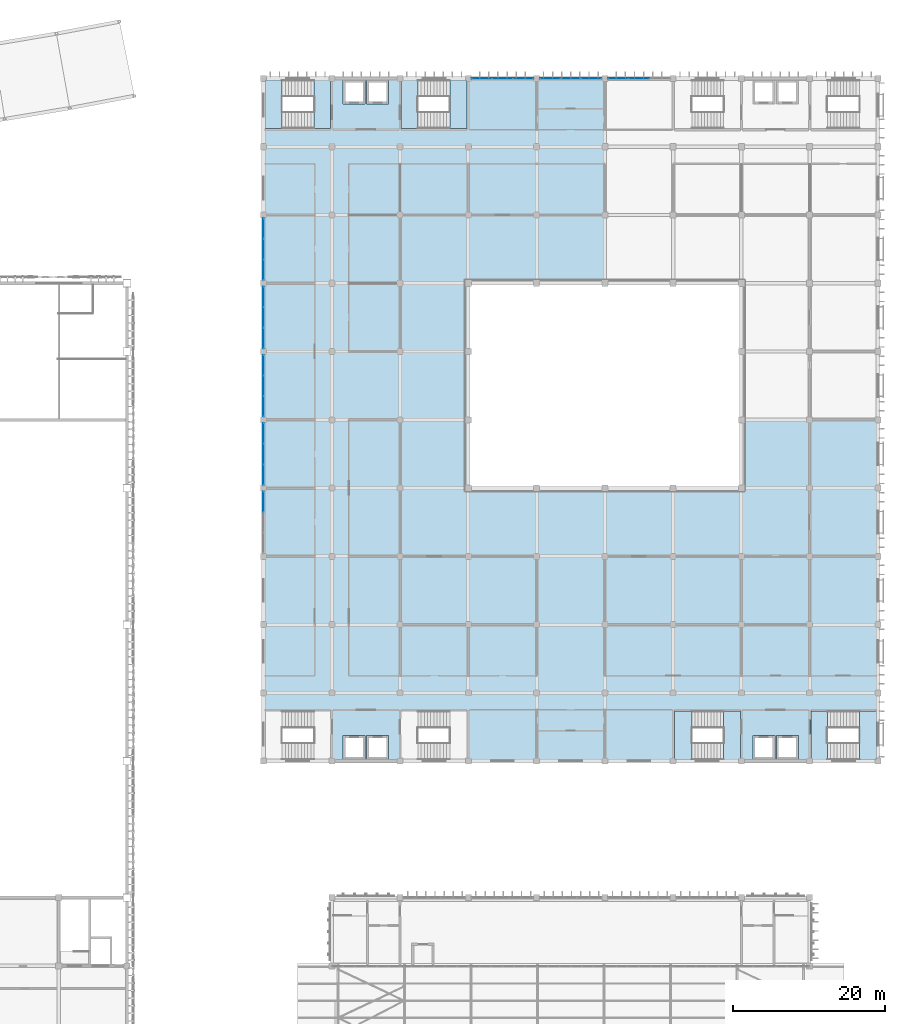
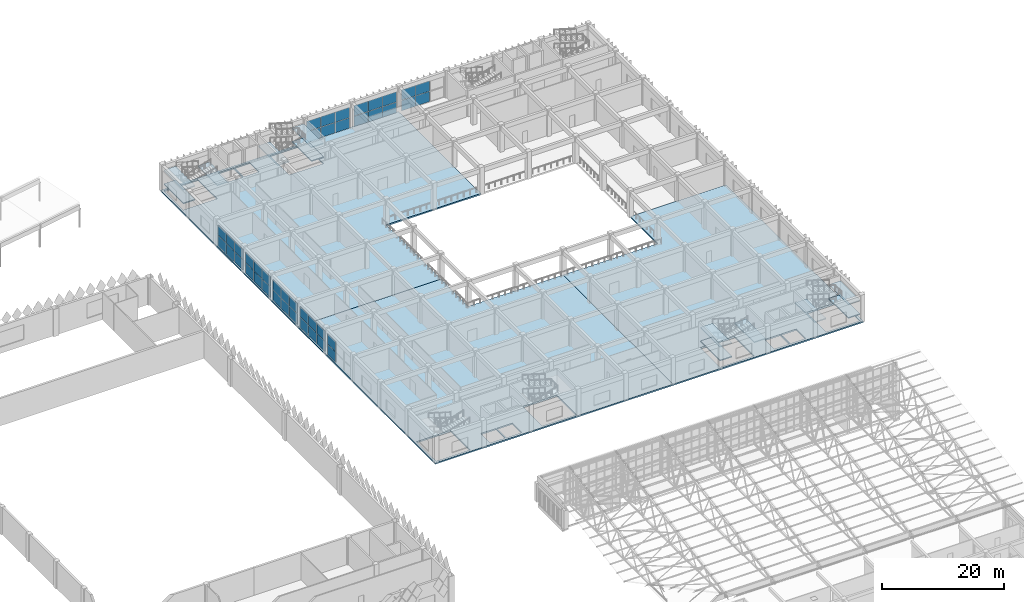
# One storey, part 97 of 185: 42 plates, 15 slabs, 12 elements without a shape of their own.
"""IFC4 building model written with IfcOpenShell, lengths in metres."""

from ifc_helpers import new_model, si_unit, direction, frame, origin, origin_2d, place, context, subcontext, project, spatial, polyline, rectangle, outline, extrude, material, layer, layer_set, type_object, element, aggregate, save


model = new_model("IFC4")

# Units and contexts
model_context = context("Model", 3, precision=1e-05, world=origin(), true_north=direction((0.0, 1.0)))
body_context = subcontext(model_context, "Body", "Model", "MODEL_VIEW")
ifc_project = project(units=[si_unit("LENGTHUNIT", "METRE"), si_unit("AREAUNIT", "SQUARE_METRE"), si_unit("VOLUMEUNIT", "CUBIC_METRE"), si_unit("PLANEANGLEUNIT", "RADIAN"), si_unit("MASSUNIT", "GRAM", prefix="KILO")], contexts=[model_context])

# Site, building, storey
site_placement = place(None, origin())
site = spatial("IfcSite", under=ifc_project, at=site_placement, CompositionType="ELEMENT")
building_placement = place(site_placement, origin())
building = spatial("IfcBuilding", under=site, at=building_placement, Name="Opaline Strait Convention Centre", CompositionType="ELEMENT")
storey_placement = place(building_placement, frame((0.0, 0.0, 6.0)))
storey = spatial("IfcBuildingStorey", under=building, at=storey_placement, Name="L01", CompositionType="ELEMENT", Elevation=6.0)

# Curtain wall, plates
ifc_material_1 = material(Name="Aluminium framed double glazing", Category="aluminium")
ifc_layer_1 = layer(ifc_material_1, 0.199951171875)
ifc_layer_set_1 = layer_set([ifc_layer_1], Name="Aluminium framed double glazing")
curtain_wall_type = type_object("IfcCurtainWallType", Name="Curtain wall 3000 module unitised", PredefinedType="NOTDEFINED", material=ifc_layer_set_1)
curtain_wall_1_placement = place(storey_placement, origin())
curtain_wall_1 = element("IfcCurtainWall", 1, at=curtain_wall_1_placement, inside=storey, type_object=curtain_wall_type, Name="Curtain wall N L01 35/W", PredefinedType="NOTDEFINED")
ifc_material_2 = material(Name="Double glazed unit low emissivity", Category="glass")
ifc_layer_2 = layer(ifc_material_2, 0.028076171875)
ifc_layer_set_2 = layer_set([ifc_layer_2], Name="Double glazed unit low emissivity")
plate_type = type_object("IfcPlateType", Name="Curtain wall glass panel 28", PredefinedType="CURTAIN_PANEL", material=ifc_layer_set_2)
plate_1_placement = place(storey_placement, frame((307.781494140625, 180.0, 0.06005859375), z_axis=(0.0, 0.0, 1.0), x_axis=(1.0, 0.0, 0.0)))
plate_1 = element("IfcPlate", 2, at=plate_1_placement, type_object=plate_type, Name="MCWR1 panel 1.1", PredefinedType="CURTAIN_PANEL", context=body_context, shape_type="SweptSolid", body=[
    extrude(rectangle(XDim=2.643310546875, YDim=0.028076171875, at=origin_2d()), origin(), (0.0, 0.0, 1.0), 2.070068359375),
])
plate_2_placement = place(storey_placement, frame((307.781494140625, 180.0, 2.18994140625), z_axis=(0.0, 0.0, 1.0), x_axis=(1.0, 0.0, 0.0)))
plate_2 = element("IfcPlate", 3, at=plate_2_placement, type_object=plate_type, Name="MCWR1 panel 1.2", PredefinedType="CURTAIN_PANEL", context=body_context, shape_type="SweptSolid", body=[
    extrude(rectangle(XDim=2.643310546875, YDim=0.028076171875, at=origin_2d()), origin(), (0.0, 0.0, 1.0), 2.070068359375),
])
plate_3_placement = place(storey_placement, frame((310.5, 180.0, 0.06005859375), z_axis=(0.0, 0.0, 1.0), x_axis=(1.0, 0.0, 0.0)))
plate_3 = element("IfcPlate", 4, at=plate_3_placement, type_object=plate_type, Name="MCWR1 panel 2.1", PredefinedType="CURTAIN_PANEL", context=body_context, shape_type="SweptSolid", body=[
    extrude(rectangle(XDim=2.67333984375, YDim=0.028076171875, at=origin_2d()), origin(), (0.0, 0.0, 1.0), 2.070068359375),
])
plate_4_placement = place(storey_placement, frame((310.5, 180.0, 2.18994140625), z_axis=(0.0, 0.0, 1.0), x_axis=(1.0, 0.0, 0.0)))
plate_4 = element("IfcPlate", 5, at=plate_4_placement, type_object=plate_type, Name="MCWR1 panel 2.2", PredefinedType="CURTAIN_PANEL", context=body_context, shape_type="SweptSolid", body=[
    extrude(rectangle(XDim=2.67333984375, YDim=0.028076171875, at=origin_2d()), origin(), (0.0, 0.0, 1.0), 2.070068359375),
])
plate_5_placement = place(storey_placement, frame((313.218505859375, 180.0, 0.06005859375), z_axis=(0.0, 0.0, 1.0), x_axis=(1.0, 0.0, 0.0)))
plate_5 = element("IfcPlate", 6, at=plate_5_placement, type_object=plate_type, Name="MCWR1 panel 3.1", PredefinedType="CURTAIN_PANEL", context=body_context, shape_type="SweptSolid", body=[
    extrude(rectangle(XDim=2.643310546875, YDim=0.028076171875, at=origin_2d()), origin(), (0.0, 0.0, 1.0), 2.070068359375),
])
plate_6_placement = place(storey_placement, frame((313.218505859375, 180.0, 2.18994140625), z_axis=(0.0, 0.0, 1.0), x_axis=(1.0, 0.0, 0.0)))
plate_6 = element("IfcPlate", 7, at=plate_6_placement, type_object=plate_type, Name="MCWR1 panel 3.2", PredefinedType="CURTAIN_PANEL", context=body_context, shape_type="SweptSolid", body=[
    extrude(rectangle(XDim=2.643310546875, YDim=0.028076171875, at=origin_2d()), origin(), (0.0, 0.0, 1.0), 2.070068359375),
])
aggregate(curtain_wall_1, [plate_1, plate_2, plate_3, plate_4, plate_5, plate_6])

curtain_wall_2_placement = place(storey_placement, origin())
curtain_wall_2 = element("IfcCurtainWall", 8, at=curtain_wall_2_placement, inside=storey, type_object=curtain_wall_type, Name="Curtain wall N L01 36/W", PredefinedType="NOTDEFINED")
plate_7_placement = place(storey_placement, frame((316.781494140625, 180.0, 0.06005859375), z_axis=(0.0, 0.0, 1.0), x_axis=(1.0, 0.0, 0.0)))
plate_7 = element("IfcPlate", 9, at=plate_7_placement, type_object=plate_type, Name="MCWR1 panel 1.1", PredefinedType="CURTAIN_PANEL", context=body_context, shape_type="SweptSolid", body=[
    extrude(rectangle(XDim=2.643310546875, YDim=0.028076171875, at=origin_2d()), origin(), (0.0, 0.0, 1.0), 2.070068359375),
])
plate_8_placement = place(storey_placement, frame((316.781494140625, 180.0, 2.18994140625), z_axis=(0.0, 0.0, 1.0), x_axis=(1.0, 0.0, 0.0)))
plate_8 = element("IfcPlate", 10, at=plate_8_placement, type_object=plate_type, Name="MCWR1 panel 1.2", PredefinedType="CURTAIN_PANEL", context=body_context, shape_type="SweptSolid", body=[
    extrude(rectangle(XDim=2.643310546875, YDim=0.028076171875, at=origin_2d()), origin(), (0.0, 0.0, 1.0), 2.070068359375),
])
plate_9_placement = place(storey_placement, frame((319.5, 180.0, 0.06005859375), z_axis=(0.0, 0.0, 1.0), x_axis=(1.0, 0.0, 0.0)))
plate_9 = element("IfcPlate", 11, at=plate_9_placement, type_object=plate_type, Name="MCWR1 panel 2.1", PredefinedType="CURTAIN_PANEL", context=body_context, shape_type="SweptSolid", body=[
    extrude(rectangle(XDim=2.67333984375, YDim=0.028076171875, at=origin_2d()), origin(), (0.0, 0.0, 1.0), 2.070068359375),
])
plate_10_placement = place(storey_placement, frame((319.5, 180.0, 2.18994140625), z_axis=(0.0, 0.0, 1.0), x_axis=(1.0, 0.0, 0.0)))
plate_10 = element("IfcPlate", 12, at=plate_10_placement, type_object=plate_type, Name="MCWR1 panel 2.2", PredefinedType="CURTAIN_PANEL", context=body_context, shape_type="SweptSolid", body=[
    extrude(rectangle(XDim=2.67333984375, YDim=0.028076171875, at=origin_2d()), origin(), (0.0, 0.0, 1.0), 2.070068359375),
])
plate_11_placement = place(storey_placement, frame((322.218505859375, 180.0, 0.06005859375), z_axis=(0.0, 0.0, 1.0), x_axis=(1.0, 0.0, 0.0)))
plate_11 = element("IfcPlate", 13, at=plate_11_placement, type_object=plate_type, Name="MCWR1 panel 3.1", PredefinedType="CURTAIN_PANEL", context=body_context, shape_type="SweptSolid", body=[
    extrude(rectangle(XDim=2.643310546875, YDim=0.028076171875, at=origin_2d()), origin(), (0.0, 0.0, 1.0), 2.070068359375),
])
plate_12_placement = place(storey_placement, frame((322.218505859375, 180.0, 2.18994140625), z_axis=(0.0, 0.0, 1.0), x_axis=(1.0, 0.0, 0.0)))
plate_12 = element("IfcPlate", 14, at=plate_12_placement, type_object=plate_type, Name="MCWR1 panel 3.2", PredefinedType="CURTAIN_PANEL", context=body_context, shape_type="SweptSolid", body=[
    extrude(rectangle(XDim=2.643310546875, YDim=0.028076171875, at=origin_2d()), origin(), (0.0, 0.0, 1.0), 2.070068359375),
])
aggregate(curtain_wall_2, [plate_7, plate_8, plate_9, plate_10, plate_11, plate_12])

curtain_wall_3_placement = place(storey_placement, origin())
curtain_wall_3 = element("IfcCurtainWall", 15, at=curtain_wall_3_placement, inside=storey, type_object=curtain_wall_type, Name="Curtain wall N L01 37/W", PredefinedType="NOTDEFINED")
plate_13_placement = place(storey_placement, frame((325.781494140625, 180.0, 0.06005859375), z_axis=(0.0, 0.0, 1.0), x_axis=(1.0, 0.0, 0.0)))
plate_13 = element("IfcPlate", 16, at=plate_13_placement, type_object=plate_type, Name="MCWR1 panel 1.1", PredefinedType="CURTAIN_PANEL", context=body_context, shape_type="SweptSolid", body=[
    extrude(rectangle(XDim=2.643310546875, YDim=0.028076171875, at=origin_2d()), origin(), (0.0, 0.0, 1.0), 2.070068359375),
])
plate_14_placement = place(storey_placement, frame((325.781494140625, 180.0, 2.18994140625), z_axis=(0.0, 0.0, 1.0), x_axis=(1.0, 0.0, 0.0)))
plate_14 = element("IfcPlate", 17, at=plate_14_placement, type_object=plate_type, Name="MCWR1 panel 1.2", PredefinedType="CURTAIN_PANEL", context=body_context, shape_type="SweptSolid", body=[
    extrude(rectangle(XDim=2.643310546875, YDim=0.028076171875, at=origin_2d()), origin(), (0.0, 0.0, 1.0), 2.070068359375),
])
plate_15_placement = place(storey_placement, frame((328.5, 180.0, 0.06005859375), z_axis=(0.0, 0.0, 1.0), x_axis=(1.0, 0.0, 0.0)))
plate_15 = element("IfcPlate", 18, at=plate_15_placement, type_object=plate_type, Name="MCWR1 panel 2.1", PredefinedType="CURTAIN_PANEL", context=body_context, shape_type="SweptSolid", body=[
    extrude(rectangle(XDim=2.67333984375, YDim=0.028076171875, at=origin_2d()), origin(), (0.0, 0.0, 1.0), 2.070068359375),
])
plate_16_placement = place(storey_placement, frame((328.5, 180.0, 2.18994140625), z_axis=(0.0, 0.0, 1.0), x_axis=(1.0, 0.0, 0.0)))
plate_16 = element("IfcPlate", 19, at=plate_16_placement, type_object=plate_type, Name="MCWR1 panel 2.2", PredefinedType="CURTAIN_PANEL", context=body_context, shape_type="SweptSolid", body=[
    extrude(rectangle(XDim=2.67333984375, YDim=0.028076171875, at=origin_2d()), origin(), (0.0, 0.0, 1.0), 2.070068359375),
])
aggregate(curtain_wall_3, [plate_13, plate_14, plate_15, plate_16])

curtain_wall_4_placement = place(storey_placement, origin())
curtain_wall_4 = element("IfcCurtainWall", 20, at=curtain_wall_4_placement, inside=storey, type_object=curtain_wall_type, Name="Curtain wall W L01 32/P", PredefinedType="NOTDEFINED")
plate_17_placement = place(storey_placement, frame((279.0, 124.218505859375, 0.06005859375), z_axis=(0.0, 0.0, 1.0), x_axis=(0.0, 1.0, 0.0)))
plate_17 = element("IfcPlate", 21, at=plate_17_placement, type_object=plate_type, Name="MCWR1 panel 3.1", PredefinedType="CURTAIN_PANEL", context=body_context, shape_type="SweptSolid", body=[
    extrude(rectangle(XDim=2.643310546875, YDim=0.028076171875, at=origin_2d()), origin(), (0.0, 0.0, 1.0), 2.070068359375),
])
plate_18_placement = place(storey_placement, frame((279.0, 124.218505859375, 2.18994140625), z_axis=(0.0, 0.0, 1.0), x_axis=(0.0, 1.0, 0.0)))
plate_18 = element("IfcPlate", 22, at=plate_18_placement, type_object=plate_type, Name="MCWR1 panel 3.2", PredefinedType="CURTAIN_PANEL", context=body_context, shape_type="SweptSolid", body=[
    extrude(rectangle(XDim=2.643310546875, YDim=0.028076171875, at=origin_2d()), origin(), (0.0, 0.0, 1.0), 2.070068359375),
])
aggregate(curtain_wall_4, [plate_17, plate_18])

curtain_wall_5_placement = place(storey_placement, origin())
curtain_wall_5 = element("IfcCurtainWall", 23, at=curtain_wall_5_placement, inside=storey, type_object=curtain_wall_type, Name="Curtain wall W L01 32/Q", PredefinedType="NOTDEFINED")
plate_19_placement = place(storey_placement, frame((279.0, 127.781494140625, 0.06005859375), z_axis=(0.0, 0.0, 1.0), x_axis=(0.0, 1.0, 0.0)))
plate_19 = element("IfcPlate", 24, at=plate_19_placement, type_object=plate_type, Name="MCWR1 panel 1.1", PredefinedType="CURTAIN_PANEL", context=body_context, shape_type="SweptSolid", body=[
    extrude(rectangle(XDim=2.643310546875, YDim=0.028076171875, at=origin_2d()), origin(), (0.0, 0.0, 1.0), 2.070068359375),
])
plate_20_placement = place(storey_placement, frame((279.0, 127.781494140625, 2.18994140625), z_axis=(0.0, 0.0, 1.0), x_axis=(0.0, 1.0, 0.0)))
plate_20 = element("IfcPlate", 25, at=plate_20_placement, type_object=plate_type, Name="MCWR1 panel 1.2", PredefinedType="CURTAIN_PANEL", context=body_context, shape_type="SweptSolid", body=[
    extrude(rectangle(XDim=2.643310546875, YDim=0.028076171875, at=origin_2d()), origin(), (0.0, 0.0, 1.0), 2.070068359375),
])
plate_21_placement = place(storey_placement, frame((279.0, 130.5, 0.06005859375), z_axis=(0.0, 0.0, 1.0), x_axis=(0.0, 1.0, 0.0)))
plate_21 = element("IfcPlate", 26, at=plate_21_placement, type_object=plate_type, Name="MCWR1 panel 2.1", PredefinedType="CURTAIN_PANEL", context=body_context, shape_type="SweptSolid", body=[
    extrude(rectangle(XDim=2.67333984375, YDim=0.028076171875, at=origin_2d()), origin(), (0.0, 0.0, 1.0), 2.070068359375),
])
plate_22_placement = place(storey_placement, frame((279.0, 130.5, 2.18994140625), z_axis=(0.0, 0.0, 1.0), x_axis=(0.0, 1.0, 0.0)))
plate_22 = element("IfcPlate", 27, at=plate_22_placement, type_object=plate_type, Name="MCWR1 panel 2.2", PredefinedType="CURTAIN_PANEL", context=body_context, shape_type="SweptSolid", body=[
    extrude(rectangle(XDim=2.67333984375, YDim=0.028076171875, at=origin_2d()), origin(), (0.0, 0.0, 1.0), 2.070068359375),
])
plate_23_placement = place(storey_placement, frame((279.0, 133.218505859375, 0.06005859375), z_axis=(0.0, 0.0, 1.0), x_axis=(0.0, 1.0, 0.0)))
plate_23 = element("IfcPlate", 28, at=plate_23_placement, type_object=plate_type, Name="MCWR1 panel 3.1", PredefinedType="CURTAIN_PANEL", context=body_context, shape_type="SweptSolid", body=[
    extrude(rectangle(XDim=2.643310546875, YDim=0.028076171875, at=origin_2d()), origin(), (0.0, 0.0, 1.0), 2.070068359375),
])
plate_24_placement = place(storey_placement, frame((279.0, 133.218505859375, 2.18994140625), z_axis=(0.0, 0.0, 1.0), x_axis=(0.0, 1.0, 0.0)))
plate_24 = element("IfcPlate", 29, at=plate_24_placement, type_object=plate_type, Name="MCWR1 panel 3.2", PredefinedType="CURTAIN_PANEL", context=body_context, shape_type="SweptSolid", body=[
    extrude(rectangle(XDim=2.643310546875, YDim=0.028076171875, at=origin_2d()), origin(), (0.0, 0.0, 1.0), 2.070068359375),
])
aggregate(curtain_wall_5, [plate_19, plate_20, plate_21, plate_22, plate_23, plate_24])

curtain_wall_6_placement = place(storey_placement, origin())
curtain_wall_6 = element("IfcCurtainWall", 30, at=curtain_wall_6_placement, inside=storey, type_object=curtain_wall_type, Name="Curtain wall W L01 32/R", PredefinedType="NOTDEFINED")
plate_25_placement = place(storey_placement, frame((279.0, 136.781494140625, 0.06005859375), z_axis=(0.0, 0.0, 1.0), x_axis=(0.0, 1.0, 0.0)))
plate_25 = element("IfcPlate", 31, at=plate_25_placement, type_object=plate_type, Name="MCWR1 panel 1.1", PredefinedType="CURTAIN_PANEL", context=body_context, shape_type="SweptSolid", body=[
    extrude(rectangle(XDim=2.643310546875, YDim=0.028076171875, at=origin_2d()), origin(), (0.0, 0.0, 1.0), 2.070068359375),
])
plate_26_placement = place(storey_placement, frame((279.0, 136.781494140625, 2.18994140625), z_axis=(0.0, 0.0, 1.0), x_axis=(0.0, 1.0, 0.0)))
plate_26 = element("IfcPlate", 32, at=plate_26_placement, type_object=plate_type, Name="MCWR1 panel 1.2", PredefinedType="CURTAIN_PANEL", context=body_context, shape_type="SweptSolid", body=[
    extrude(rectangle(XDim=2.643310546875, YDim=0.028076171875, at=origin_2d()), origin(), (0.0, 0.0, 1.0), 2.070068359375),
])
plate_27_placement = place(storey_placement, frame((279.0, 139.5, 0.06005859375), z_axis=(0.0, 0.0, 1.0), x_axis=(0.0, 1.0, 0.0)))
plate_27 = element("IfcPlate", 33, at=plate_27_placement, type_object=plate_type, Name="MCWR1 panel 2.1", PredefinedType="CURTAIN_PANEL", context=body_context, shape_type="SweptSolid", body=[
    extrude(rectangle(XDim=2.67333984375, YDim=0.028076171875, at=origin_2d()), origin(), (0.0, 0.0, 1.0), 2.070068359375),
])
plate_28_placement = place(storey_placement, frame((279.0, 139.5, 2.18994140625), z_axis=(0.0, 0.0, 1.0), x_axis=(0.0, 1.0, 0.0)))
plate_28 = element("IfcPlate", 34, at=plate_28_placement, type_object=plate_type, Name="MCWR1 panel 2.2", PredefinedType="CURTAIN_PANEL", context=body_context, shape_type="SweptSolid", body=[
    extrude(rectangle(XDim=2.67333984375, YDim=0.028076171875, at=origin_2d()), origin(), (0.0, 0.0, 1.0), 2.070068359375),
])
plate_29_placement = place(storey_placement, frame((279.0, 142.218505859375, 0.06005859375), z_axis=(0.0, 0.0, 1.0), x_axis=(0.0, 1.0, 0.0)))
plate_29 = element("IfcPlate", 35, at=plate_29_placement, type_object=plate_type, Name="MCWR1 panel 3.1", PredefinedType="CURTAIN_PANEL", context=body_context, shape_type="SweptSolid", body=[
    extrude(rectangle(XDim=2.643310546875, YDim=0.028076171875, at=origin_2d()), origin(), (0.0, 0.0, 1.0), 2.070068359375),
])
plate_30_placement = place(storey_placement, frame((279.0, 142.218505859375, 2.18994140625), z_axis=(0.0, 0.0, 1.0), x_axis=(0.0, 1.0, 0.0)))
plate_30 = element("IfcPlate", 36, at=plate_30_placement, type_object=plate_type, Name="MCWR1 panel 3.2", PredefinedType="CURTAIN_PANEL", context=body_context, shape_type="SweptSolid", body=[
    extrude(rectangle(XDim=2.643310546875, YDim=0.028076171875, at=origin_2d()), origin(), (0.0, 0.0, 1.0), 2.070068359375),
])
aggregate(curtain_wall_6, [plate_25, plate_26, plate_27, plate_28, plate_29, plate_30])

curtain_wall_7_placement = place(storey_placement, origin())
curtain_wall_7 = element("IfcCurtainWall", 37, at=curtain_wall_7_placement, inside=storey, type_object=curtain_wall_type, Name="Curtain wall W L01 32/S", PredefinedType="NOTDEFINED")
plate_31_placement = place(storey_placement, frame((279.0, 145.781494140625, 0.06005859375), z_axis=(0.0, 0.0, 1.0), x_axis=(0.0, 1.0, 0.0)))
plate_31 = element("IfcPlate", 38, at=plate_31_placement, type_object=plate_type, Name="MCWR1 panel 1.1", PredefinedType="CURTAIN_PANEL", context=body_context, shape_type="SweptSolid", body=[
    extrude(rectangle(XDim=2.643310546875, YDim=0.028076171875, at=origin_2d()), origin(), (0.0, 0.0, 1.0), 2.070068359375),
])
plate_32_placement = place(storey_placement, frame((279.0, 145.781494140625, 2.18994140625), z_axis=(0.0, 0.0, 1.0), x_axis=(0.0, 1.0, 0.0)))
plate_32 = element("IfcPlate", 39, at=plate_32_placement, type_object=plate_type, Name="MCWR1 panel 1.2", PredefinedType="CURTAIN_PANEL", context=body_context, shape_type="SweptSolid", body=[
    extrude(rectangle(XDim=2.643310546875, YDim=0.028076171875, at=origin_2d()), origin(), (0.0, 0.0, 1.0), 2.070068359375),
])
plate_33_placement = place(storey_placement, frame((279.0, 148.5, 0.06005859375), z_axis=(0.0, 0.0, 1.0), x_axis=(0.0, 1.0, 0.0)))
plate_33 = element("IfcPlate", 40, at=plate_33_placement, type_object=plate_type, Name="MCWR1 panel 2.1", PredefinedType="CURTAIN_PANEL", context=body_context, shape_type="SweptSolid", body=[
    extrude(rectangle(XDim=2.67333984375, YDim=0.028076171875, at=origin_2d()), origin(), (0.0, 0.0, 1.0), 2.070068359375),
])
plate_34_placement = place(storey_placement, frame((279.0, 148.5, 2.18994140625), z_axis=(0.0, 0.0, 1.0), x_axis=(0.0, 1.0, 0.0)))
plate_34 = element("IfcPlate", 41, at=plate_34_placement, type_object=plate_type, Name="MCWR1 panel 2.2", PredefinedType="CURTAIN_PANEL", context=body_context, shape_type="SweptSolid", body=[
    extrude(rectangle(XDim=2.67333984375, YDim=0.028076171875, at=origin_2d()), origin(), (0.0, 0.0, 1.0), 2.070068359375),
])
plate_35_placement = place(storey_placement, frame((279.0, 151.218505859375, 0.06005859375), z_axis=(0.0, 0.0, 1.0), x_axis=(0.0, 1.0, 0.0)))
plate_35 = element("IfcPlate", 42, at=plate_35_placement, type_object=plate_type, Name="MCWR1 panel 3.1", PredefinedType="CURTAIN_PANEL", context=body_context, shape_type="SweptSolid", body=[
    extrude(rectangle(XDim=2.643310546875, YDim=0.028076171875, at=origin_2d()), origin(), (0.0, 0.0, 1.0), 2.070068359375),
])
plate_36_placement = place(storey_placement, frame((279.0, 151.218505859375, 2.18994140625), z_axis=(0.0, 0.0, 1.0), x_axis=(0.0, 1.0, 0.0)))
plate_36 = element("IfcPlate", 43, at=plate_36_placement, type_object=plate_type, Name="MCWR1 panel 3.2", PredefinedType="CURTAIN_PANEL", context=body_context, shape_type="SweptSolid", body=[
    extrude(rectangle(XDim=2.643310546875, YDim=0.028076171875, at=origin_2d()), origin(), (0.0, 0.0, 1.0), 2.070068359375),
])
aggregate(curtain_wall_7, [plate_31, plate_32, plate_33, plate_34, plate_35, plate_36])

curtain_wall_8_placement = place(storey_placement, origin())
curtain_wall_8 = element("IfcCurtainWall", 44, at=curtain_wall_8_placement, inside=storey, type_object=curtain_wall_type, Name="Curtain wall W L01 32/T", PredefinedType="NOTDEFINED")
plate_37_placement = place(storey_placement, frame((279.0, 154.781494140625, 0.06005859375), z_axis=(0.0, 0.0, 1.0), x_axis=(0.0, 1.0, 0.0)))
plate_37 = element("IfcPlate", 45, at=plate_37_placement, type_object=plate_type, Name="MCWR1 panel 1.1", PredefinedType="CURTAIN_PANEL", context=body_context, shape_type="SweptSolid", body=[
    extrude(rectangle(XDim=2.643310546875, YDim=0.028076171875, at=origin_2d()), origin(), (0.0, 0.0, 1.0), 2.070068359375),
])
plate_38_placement = place(storey_placement, frame((279.0, 154.781494140625, 2.18994140625), z_axis=(0.0, 0.0, 1.0), x_axis=(0.0, 1.0, 0.0)))
plate_38 = element("IfcPlate", 46, at=plate_38_placement, type_object=plate_type, Name="MCWR1 panel 1.2", PredefinedType="CURTAIN_PANEL", context=body_context, shape_type="SweptSolid", body=[
    extrude(rectangle(XDim=2.643310546875, YDim=0.028076171875, at=origin_2d()), origin(), (0.0, 0.0, 1.0), 2.070068359375),
])
plate_39_placement = place(storey_placement, frame((279.0, 157.5, 0.06005859375), z_axis=(0.0, 0.0, 1.0), x_axis=(0.0, 1.0, 0.0)))
plate_39 = element("IfcPlate", 47, at=plate_39_placement, type_object=plate_type, Name="MCWR1 panel 2.1", PredefinedType="CURTAIN_PANEL", context=body_context, shape_type="SweptSolid", body=[
    extrude(rectangle(XDim=2.67333984375, YDim=0.028076171875, at=origin_2d()), origin(), (0.0, 0.0, 1.0), 2.070068359375),
])
plate_40_placement = place(storey_placement, frame((279.0, 157.5, 2.18994140625), z_axis=(0.0, 0.0, 1.0), x_axis=(0.0, 1.0, 0.0)))
plate_40 = element("IfcPlate", 48, at=plate_40_placement, type_object=plate_type, Name="MCWR1 panel 2.2", PredefinedType="CURTAIN_PANEL", context=body_context, shape_type="SweptSolid", body=[
    extrude(rectangle(XDim=2.67333984375, YDim=0.028076171875, at=origin_2d()), origin(), (0.0, 0.0, 1.0), 2.070068359375),
])
plate_41_placement = place(storey_placement, frame((279.0, 160.218505859375, 0.06005859375), z_axis=(0.0, 0.0, 1.0), x_axis=(0.0, 1.0, 0.0)))
plate_41 = element("IfcPlate", 49, at=plate_41_placement, type_object=plate_type, Name="MCWR1 panel 3.1", PredefinedType="CURTAIN_PANEL", context=body_context, shape_type="SweptSolid", body=[
    extrude(rectangle(XDim=2.643310546875, YDim=0.028076171875, at=origin_2d()), origin(), (0.0, 0.0, 1.0), 2.070068359375),
])
plate_42_placement = place(storey_placement, frame((279.0, 160.218505859375, 2.18994140625), z_axis=(0.0, 0.0, 1.0), x_axis=(0.0, 1.0, 0.0)))
plate_42 = element("IfcPlate", 50, at=plate_42_placement, type_object=plate_type, Name="MCWR1 panel 3.2", PredefinedType="CURTAIN_PANEL", context=body_context, shape_type="SweptSolid", body=[
    extrude(rectangle(XDim=2.643310546875, YDim=0.028076171875, at=origin_2d()), origin(), (0.0, 0.0, 1.0), 2.070068359375),
])
aggregate(curtain_wall_8, [plate_37, plate_38, plate_39, plate_40, plate_41, plate_42])

# Slabs
ifc_material_3 = material(Name="Concrete C35", Category="concrete")
ifc_layer_3 = layer(ifc_material_3, 0.280029296875)
ifc_layer_set_3 = layer_set([ifc_layer_3], Name="Concrete C35")
slab_type_1 = type_object("IfcSlabType", Name="RC floor slab 280 C35", PredefinedType="FLOOR", material=ifc_layer_set_3)
slab_1_placement = place(storey_placement, frame((0.0, 0.0, -0.280029296875)))
element("IfcSlab", 51, at=slab_1_placement, inside=storey, type_object=slab_type_1, Name="XS2 L01 slab pour SW", PredefinedType="FLOOR", context=body_context, shape_type="SweptSolid", body=[
    extrude(outline(polyline([(278.800048828125, 89.800048828125), (278.800048828125, 135.0), (306.0, 135.0), (306.0, 126.0), (324.0, 126.0), (324.0, 89.800048828125), (278.800048828125, 89.800048828125)]), holes=[polyline([(289.5, 93.35009765625), (289.5, 90.25), (292.39990234375, 90.25), (292.39990234375, 93.35009765625), (289.5, 93.35009765625)]), polyline([(292.60009765625, 93.35009765625), (292.60009765625, 90.25), (295.5, 90.25), (295.5, 93.35009765625), (292.60009765625, 93.35009765625)]), polyline([(299.3505859375, 96.599853515625), (299.3505859375, 90.199951171875), (305.849853515625, 90.199951171875), (305.849853515625, 96.599853515625), (299.3505859375, 96.599853515625)]), polyline([(279.2001953125, 96.60009765625), (279.2001953125, 90.2001953125), (285.6494140625, 90.2001953125), (285.6494140625, 96.60009765625), (279.2001953125, 96.60009765625)])]), origin(), (0.0, 0.0, 1.0), 0.280029296875),
])
slab_2_placement = place(storey_placement, frame((0.0, 0.0, -0.280029296875)))
element("IfcSlab", 52, at=slab_2_placement, inside=storey, type_object=slab_type_1, Name="XS2 L01 slab pour SE", PredefinedType="FLOOR", context=body_context, shape_type="SweptSolid", body=[
    extrude(outline(polyline([(360.199951171875, 89.800048828125), (324.0, 89.800048828125), (324.0, 126.0), (342.0, 126.0), (342.0, 135.0), (360.199951171875, 135.0), (360.199951171875, 89.800048828125)]), holes=[polyline([(343.5, 93.35009765625), (343.5, 90.25), (346.39990234375, 90.25), (346.39990234375, 93.35009765625), (343.5, 93.35009765625)]), polyline([(346.60009765625, 93.35009765625), (346.60009765625, 90.25), (349.5, 90.25), (349.5, 93.35009765625), (346.60009765625, 93.35009765625)]), polyline([(353.3505859375, 96.599853515625), (353.3505859375, 90.199951171875), (359.7998046875, 90.199951171875), (359.7998046875, 96.599853515625), (353.3505859375, 96.599853515625)]), polyline([(333.150146484375, 96.60009765625), (333.150146484375, 90.2001953125), (339.6494140625, 90.2001953125), (339.6494140625, 96.60009765625), (333.150146484375, 96.60009765625)])]), origin(), (0.0, 0.0, 1.0), 0.280029296875),
])
slab_3_placement = place(storey_placement, frame((0.0, 0.0, -0.280029296875)))
element("IfcSlab", 53, at=slab_3_placement, inside=storey, type_object=slab_type_1, Name="XS2 L01 slab pour NW", PredefinedType="FLOOR", context=body_context, shape_type="SweptSolid", body=[
    extrude(outline(polyline([(324.0, 180.199951171875), (324.0, 153.0), (306.0, 153.0), (306.0, 135.0), (278.800048828125, 135.0), (278.800048828125, 180.199951171875), (324.0, 180.199951171875)]), holes=[polyline([(299.3505859375, 179.7998046875), (299.3505859375, 173.39990234375), (305.849853515625, 173.39990234375), (305.849853515625, 179.7998046875), (299.3505859375, 179.7998046875)]), polyline([(279.2001953125, 179.800048828125), (279.2001953125, 173.400146484375), (285.6494140625, 173.400146484375), (285.6494140625, 179.800048828125), (279.2001953125, 179.800048828125)]), polyline([(289.5, 179.75), (289.5, 176.64990234375), (292.39990234375, 176.64990234375), (292.39990234375, 179.75), (289.5, 179.75)]), polyline([(292.60009765625, 179.75), (292.60009765625, 176.64990234375), (295.5, 176.64990234375), (295.5, 179.75), (292.60009765625, 179.75)])]), origin(), (0.0, 0.0, 1.0), 0.280029296875),
])

# Stair, slabs
ifc_material_4 = material(Name="Concrete C40", Category="concrete")
stair_type = type_object("IfcStairType", Name="Escape stair half-turn 2200 concrete C40", PredefinedType="HALF_TURN_STAIR", material=ifc_material_4)
stair_1_placement = place(storey_placement, origin())
stair_1 = element("IfcStair", 54, at=stair_1_placement, inside=storey, type_object=stair_type, Name="L01 Stair S3-MTG", ObjectType="MST1", PredefinedType="HALF_TURN_STAIR")
ifc_layer_4 = layer(ifc_material_4, 0.199951171875)
ifc_layer_set_4 = layer_set([ifc_layer_4], Name="Concrete C40")
slab_type_2 = type_object("IfcSlabType", Name="Stair landing 200 concrete C40", PredefinedType="LANDING", material=ifc_layer_set_4)
slab_4_placement = place(storey_placement, frame((0.0, 0.0, 1.175048828125)))
slab_4 = element("IfcSlab", 55, at=slab_4_placement, type_object=slab_type_2, Name="S3 landing 1", ObjectType="MSL1", PredefinedType="LANDING", context=body_context, shape_type="SweptSolid", body=[
    extrude(outline(polyline([(357.5498046875, 90.199951171875), (359.7998046875, 90.199951171875), (359.7998046875, 96.599853515625), (357.5498046875, 96.599853515625), (357.5498046875, 90.199951171875)])), origin(), (0.0, 0.0, 1.0), 0.199951171875),
])
slab_5_placement = place(storey_placement, frame((0.0, 0.0, 2.550048828125)))
slab_5 = element("IfcSlab", 56, at=slab_5_placement, type_object=slab_type_2, Name="S3 landing 2", ObjectType="MSL1", PredefinedType="LANDING", context=body_context, shape_type="SweptSolid", body=[
    extrude(outline(polyline([(351.14990234375, 90.199951171875), (353.349853515625, 90.199951171875), (353.349853515625, 96.599853515625), (351.14990234375, 96.599853515625), (351.14990234375, 90.199951171875)])), origin(), (0.0, 0.0, 1.0), 0.199951171875),
])
slab_6_placement = place(storey_placement, frame((0.0, 0.0, 3.925048828125)))
slab_6 = element("IfcSlab", 57, at=slab_6_placement, type_object=slab_type_2, Name="S3 landing 3", ObjectType="MSL1", PredefinedType="LANDING", context=body_context, shape_type="SweptSolid", body=[
    extrude(outline(polyline([(357.5498046875, 90.199951171875), (359.7998046875, 90.199951171875), (359.7998046875, 96.599853515625), (357.5498046875, 96.599853515625), (357.5498046875, 90.199951171875)])), origin(), (0.0, 0.0, 1.0), 0.199951171875),
])
aggregate(stair_1, [slab_4, slab_5, slab_6])

stair_2_placement = place(storey_placement, origin())
stair_2 = element("IfcStair", 58, at=stair_2_placement, inside=storey, type_object=stair_type, Name="L01 Stair S4-MTG", ObjectType="MST1", PredefinedType="HALF_TURN_STAIR")
slab_7_placement = place(storey_placement, frame((0.0, 0.0, 1.175048828125)))
slab_7 = element("IfcSlab", 59, at=slab_7_placement, type_object=slab_type_2, Name="S4 landing 1", ObjectType="MSL1", PredefinedType="LANDING", context=body_context, shape_type="SweptSolid", body=[
    extrude(outline(polyline([(335.4501953125, 96.60009765625), (333.150146484375, 96.60009765625), (333.150146484375, 90.2001953125), (335.4501953125, 90.2001953125), (335.4501953125, 96.60009765625)])), origin(), (0.0, 0.0, 1.0), 0.199951171875),
])
slab_8_placement = place(storey_placement, frame((0.0, 0.0, 2.550048828125)))
slab_8 = element("IfcSlab", 60, at=slab_8_placement, type_object=slab_type_2, Name="S4 landing 2", ObjectType="MSL1", PredefinedType="LANDING", context=body_context, shape_type="SweptSolid", body=[
    extrude(outline(polyline([(341.85009765625, 96.60009765625), (339.650146484375, 96.60009765625), (339.650146484375, 90.2001953125), (341.85009765625, 90.2001953125), (341.85009765625, 96.60009765625)])), origin(), (0.0, 0.0, 1.0), 0.199951171875),
])
slab_9_placement = place(storey_placement, frame((0.0, 0.0, 3.925048828125)))
slab_9 = element("IfcSlab", 61, at=slab_9_placement, type_object=slab_type_2, Name="S4 landing 3", ObjectType="MSL1", PredefinedType="LANDING", context=body_context, shape_type="SweptSolid", body=[
    extrude(outline(polyline([(335.4501953125, 96.60009765625), (333.150146484375, 96.60009765625), (333.150146484375, 90.2001953125), (335.4501953125, 90.2001953125), (335.4501953125, 96.60009765625)])), origin(), (0.0, 0.0, 1.0), 0.199951171875),
])
aggregate(stair_2, [slab_7, slab_8, slab_9])

stair_3_placement = place(storey_placement, origin())
stair_3 = element("IfcStair", 62, at=stair_3_placement, inside=storey, type_object=stair_type, Name="L01 Stair S5-MTG", ObjectType="MST1", PredefinedType="HALF_TURN_STAIR")
slab_10_placement = place(storey_placement, frame((0.0, 0.0, 1.175048828125)))
slab_10 = element("IfcSlab", 63, at=slab_10_placement, type_object=slab_type_2, Name="S5 landing 1", ObjectType="MSL1", PredefinedType="LANDING", context=body_context, shape_type="SweptSolid", body=[
    extrude(outline(polyline([(281.4501953125, 179.800048828125), (279.2001953125, 179.800048828125), (279.2001953125, 173.400146484375), (281.4501953125, 173.400146484375), (281.4501953125, 179.800048828125)])), origin(), (0.0, 0.0, 1.0), 0.199951171875),
])
slab_11_placement = place(storey_placement, frame((0.0, 0.0, 2.550048828125)))
slab_11 = element("IfcSlab", 64, at=slab_11_placement, type_object=slab_type_2, Name="S5 landing 2", ObjectType="MSL1", PredefinedType="LANDING", context=body_context, shape_type="SweptSolid", body=[
    extrude(outline(polyline([(287.85009765625, 179.800048828125), (285.650146484375, 179.800048828125), (285.650146484375, 173.400146484375), (287.85009765625, 173.400146484375), (287.85009765625, 179.800048828125)])), origin(), (0.0, 0.0, 1.0), 0.199951171875),
])
slab_12_placement = place(storey_placement, frame((0.0, 0.0, 3.925048828125)))
slab_12 = element("IfcSlab", 65, at=slab_12_placement, type_object=slab_type_2, Name="S5 landing 3", ObjectType="MSL1", PredefinedType="LANDING", context=body_context, shape_type="SweptSolid", body=[
    extrude(outline(polyline([(281.4501953125, 179.800048828125), (279.2001953125, 179.800048828125), (279.2001953125, 173.400146484375), (281.4501953125, 173.400146484375), (281.4501953125, 179.800048828125)])), origin(), (0.0, 0.0, 1.0), 0.199951171875),
])
aggregate(stair_3, [slab_10, slab_11, slab_12])

stair_4_placement = place(storey_placement, origin())
stair_4 = element("IfcStair", 66, at=stair_4_placement, inside=storey, type_object=stair_type, Name="L01 Stair S6-MTG", ObjectType="MST1", PredefinedType="HALF_TURN_STAIR")
slab_13_placement = place(storey_placement, frame((0.0, 0.0, 1.175048828125)))
slab_13 = element("IfcSlab", 67, at=slab_13_placement, type_object=slab_type_2, Name="S6 landing 1", ObjectType="MSL1", PredefinedType="LANDING", context=body_context, shape_type="SweptSolid", body=[
    extrude(outline(polyline([(303.5498046875, 173.39990234375), (305.849853515625, 173.39990234375), (305.849853515625, 179.7998046875), (303.5498046875, 179.7998046875), (303.5498046875, 173.39990234375)])), origin(), (0.0, 0.0, 1.0), 0.199951171875),
])
slab_14_placement = place(storey_placement, frame((0.0, 0.0, 2.550048828125)))
slab_14 = element("IfcSlab", 68, at=slab_14_placement, type_object=slab_type_2, Name="S6 landing 2", ObjectType="MSL1", PredefinedType="LANDING", context=body_context, shape_type="SweptSolid", body=[
    extrude(outline(polyline([(297.14990234375, 173.39990234375), (299.349853515625, 173.39990234375), (299.349853515625, 179.7998046875), (297.14990234375, 179.7998046875), (297.14990234375, 173.39990234375)])), origin(), (0.0, 0.0, 1.0), 0.199951171875),
])
slab_15_placement = place(storey_placement, frame((0.0, 0.0, 3.925048828125)))
slab_15 = element("IfcSlab", 69, at=slab_15_placement, type_object=slab_type_2, Name="S6 landing 3", ObjectType="MSL1", PredefinedType="LANDING", context=body_context, shape_type="SweptSolid", body=[
    extrude(outline(polyline([(303.5498046875, 173.39990234375), (305.849853515625, 173.39990234375), (305.849853515625, 179.7998046875), (303.5498046875, 179.7998046875), (303.5498046875, 173.39990234375)])), origin(), (0.0, 0.0, 1.0), 0.199951171875),
])
aggregate(stair_4, [slab_13, slab_14, slab_15])

save(model, "model.ifc")
